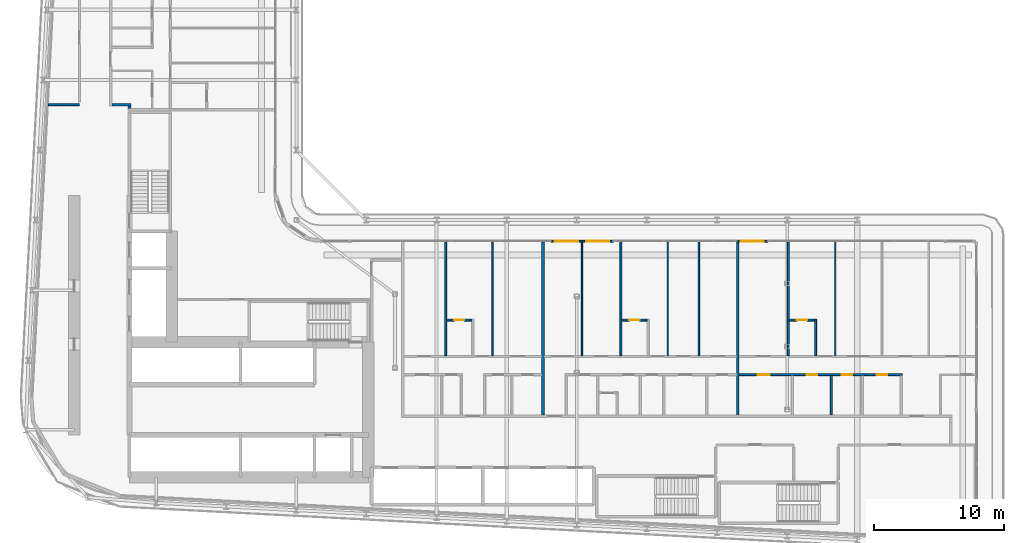
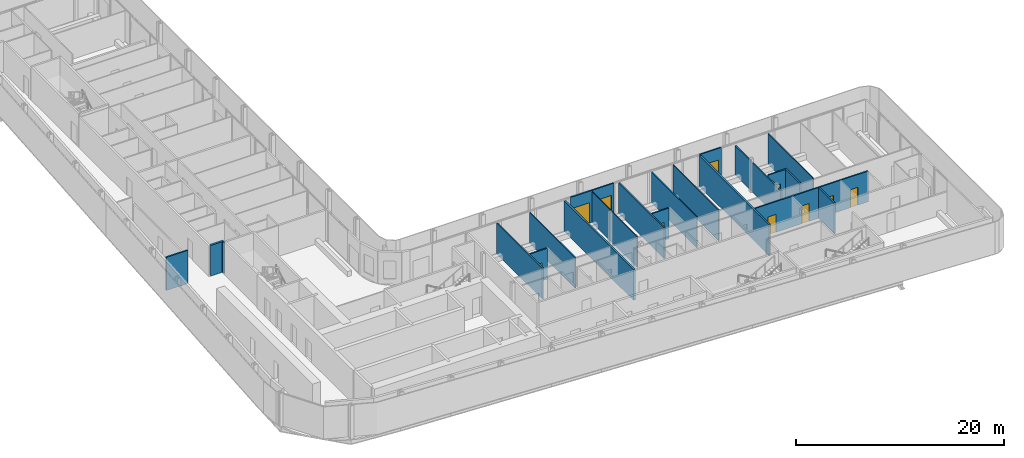
# One storey, part 17 of 29: 22 walls, 10 doors, 10 openings.
"""IFC4 building model written with IfcOpenShell, lengths in metres."""

from ifc_helpers import new_model, si_unit, direction, frame, frame_2d, origin, place, context, subcontext, project, spatial, rectangle, extrude, source, transform, mapped, material, layer, layer_set, type_object, element, fill, save


model = new_model("IFC4")

# Units and contexts
model_context = context("Model", 3, precision=1e-05, world=origin(), true_north=direction((0.0, 1.0)))
body_context = subcontext(model_context, "Body", "Model", "MODEL_VIEW")
ifc_project = project(units=[si_unit("LENGTHUNIT", "METRE"), si_unit("AREAUNIT", "SQUARE_METRE"), si_unit("VOLUMEUNIT", "CUBIC_METRE"), si_unit("PLANEANGLEUNIT", "RADIAN"), si_unit("MASSUNIT", "GRAM", prefix="KILO")], contexts=[model_context])

# Site, building, storey
site_placement = place(None, origin())
site = spatial("IfcSite", under=ifc_project, at=site_placement, CompositionType="ELEMENT")
building_placement = place(site_placement, origin())
building = spatial("IfcBuilding", under=site, at=building_placement, Name="Kheshtan School and Residences Tower", CompositionType="ELEMENT")
storey_placement = place(building_placement, frame((0.0, 0.0, 117.5)))
storey = spatial("IfcBuildingStorey", under=building, at=storey_placement, Name="L27", CompositionType="ELEMENT", Elevation=117.5)

# Walls
ifc_material_1 = material(Name="Gypsum board on steel studs with fire boards", Category="steel")
ifc_layer_1 = layer(ifc_material_1, 0.199951171875)
ifc_layer_set_1 = layer_set([ifc_layer_1], Name="Corridor wall 200")
wall_type_1 = type_object("IfcWallType", Name="Corridor wall 200", PredefinedType="PARTITIONING", material=ifc_layer_set_1)
wall_1_placement = place(storey_placement, frame((33.39990234375, 54.5, 0.0), z_axis=(0.0, 0.0, 1.0), x_axis=(1.0, 0.0, 0.0)))
element("IfcWall", 1, at=wall_1_placement, inside=storey, type_object=wall_type_1, Name="Partition L27-005", PredefinedType="PARTITIONING", context=body_context, shape_type="SweptSolid", body=[
    extrude(rectangle(XDim=1.4501953125, YDim=0.199951171875, at=frame_2d((0.72509765625, 0.0))), origin(), (0.0, 0.0, 1.0), 3.60009765625),
])
wall_2_placement = place(storey_placement, frame((34.75, 54.199951171875, 0.0), z_axis=(0.0, 0.0, 1.0), x_axis=(0.0, 1.0, 0.0)))
element("IfcWall", 2, at=wall_2_placement, inside=storey, type_object=wall_type_1, Name="Partition L27-020", PredefinedType="PARTITIONING", context=body_context, shape_type="SweptSolid", body=[
    extrude(rectangle(XDim=0.199951171875, YDim=0.199951171875, at=frame_2d((0.10009765625, 0.0))), origin(), (0.0, 0.0, 1.0), 3.60009765625),
])

# Wall, opening, door
ifc_material_2 = material(Name="Aluminium frame wall with insulated infill", Category="aluminium")
ifc_layer_2 = layer(ifc_material_2, 0.14990234375)
ifc_layer_set_2 = layer_set([ifc_layer_2], Name="Glazing frame wall 150")
wall_type_2 = type_object("IfcWallType", Name="Glazing frame wall 150", PredefinedType="SOLIDWALL", material=ifc_layer_set_2)
wall_3_placement = place(storey_placement, frame((67.218017578125, 43.97509765625, 0.0), z_axis=(0.0, 0.0, 1.0), x_axis=(1.0, 0.0, 0.0)))
wall_3 = element("IfcWall", 3, at=wall_3_placement, inside=storey, type_object=wall_type_2, Name="Balcony door wall L27 12.2", PredefinedType="SOLIDWALL", context=body_context, shape_type="SweptSolid", body=[
    extrude(rectangle(XDim=2.39990234375, YDim=0.14990234375, at=frame_2d((1.199951171875, 0.0))), origin(), (0.0, 0.0, 1.0), 3.75),
])
opening_1_placement = place(wall_3_placement, frame((0.300048828125, 0.0, 0.0)))
opening_1 = element("IfcOpeningElement", 4, at=opening_1_placement, cuts=wall_3, Name="Opening BD", PredefinedType="OPENING", context=body_context, shape_type="SweptSolid", body=[
    extrude(rectangle(XDim=1.800048828125, YDim=2.39990234375, at=frame_2d((0.89990234375, 1.199951171875))), frame((0.0, 0.0849609375, 0.0), z_axis=(0.0, -1.0, 0.0), x_axis=(1.0, 0.0, 0.0)), (0.0, 0.0, 1.0), 0.169921875),
])
ifc_material_3 = material(Name="Clear low-e glass in thermally broken aluminium frame", Category="aluminium")
door_type_1 = type_object("IfcDoorType", Name="Balcony sliding door", OperationType="SLIDING_TO_LEFT", PredefinedType="DOOR", material=ifc_material_3)
shared_shape_1 = source(origin(), body_context, "Body", "SweptSolid", [
    extrude(rectangle(XDim=1.800048828125, YDim=2.39990234375, at=frame_2d((0.89990234375, 1.199951171875))), frame((0.0, 0.02490234375, 0.0), z_axis=(0.0, -1.0, 0.0), x_axis=(1.0, 0.0, 0.0)), (0.0, 0.0, 1.0), 0.050048828125),
])
door_1_placement = place(opening_1_placement, origin())
door_1 = element("IfcDoor", 5, at=door_1_placement, inside=storey, type_object=door_type_1, Name="Balcony door L27 12.2", OperationType="SLIDING_TO_LEFT", OverallHeight=2.39990234375, OverallWidth=1.800048828125, PredefinedType="DOOR", context=body_context, shape_type="MappedRepresentation", body=[
    mapped(shared_shape_1, transform((0.0, 0.0, 0.0), x_axis=(1.0, 0.0, 0.0), y_axis=(0.0, 1.0, 0.0), z_axis=(0.0, 0.0, 1.0), scale=1.0)),
])
fill(opening_1, door_1)

wall_4_placement = place(storey_placement, frame((69.617919921875, 43.97509765625, 0.0), z_axis=(0.0, 0.0, 1.0), x_axis=(1.0, 0.0, 0.0)))
wall_4 = element("IfcWall", 6, at=wall_4_placement, inside=storey, type_object=wall_type_2, Name="Balcony door wall L27 12.3", PredefinedType="SOLIDWALL", context=body_context, shape_type="SweptSolid", body=[
    extrude(rectangle(XDim=2.400146484375, YDim=0.14990234375, at=frame_2d((1.2001953125, 0.0))), origin(), (0.0, 0.0, 1.0), 3.75),
])
opening_2_placement = place(wall_4_placement, frame((0.300048828125, 0.0, 0.0)))
opening_2 = element("IfcOpeningElement", 7, at=opening_2_placement, cuts=wall_4, Name="Opening BD", PredefinedType="OPENING", context=body_context, shape_type="SweptSolid", body=[
    extrude(rectangle(XDim=1.800048828125, YDim=2.39990234375, at=frame_2d((0.89990234375, 1.199951171875))), frame((0.0, 0.0849609375, 0.0), z_axis=(0.0, -1.0, 0.0), x_axis=(1.0, 0.0, 0.0)), (0.0, 0.0, 1.0), 0.169921875),
])
door_2_placement = place(opening_2_placement, origin())
door_2 = element("IfcDoor", 8, at=door_2_placement, inside=storey, type_object=door_type_1, Name="Balcony door L27 12.3", OperationType="SLIDING_TO_LEFT", OverallHeight=2.39990234375, OverallWidth=1.800048828125, PredefinedType="DOOR", context=body_context, shape_type="MappedRepresentation", body=[
    mapped(shared_shape_1, transform((0.0, 0.0, 0.0), x_axis=(1.0, 0.0, 0.0), y_axis=(0.0, 1.0, 0.0), z_axis=(0.0, 0.0, 1.0), scale=1.0)),
])
fill(opening_2, door_2)

wall_5_placement = place(storey_placement, frame((81.511962890625, 43.97509765625, 0.0), z_axis=(0.0, 0.0, 1.0), x_axis=(1.0, 0.0, 0.0)))
wall_5 = element("IfcWall", 9, at=wall_5_placement, inside=storey, type_object=wall_type_2, Name="Balcony door wall L27 12.4", PredefinedType="SOLIDWALL", context=body_context, shape_type="SweptSolid", body=[
    extrude(rectangle(XDim=2.400146484375, YDim=0.14990234375, at=frame_2d((1.2001953125, 0.0))), origin(), (0.0, 0.0, 1.0), 3.75),
])
opening_3_placement = place(wall_5_placement, frame((0.300048828125, 0.0, 0.0)))
opening_3 = element("IfcOpeningElement", 10, at=opening_3_placement, cuts=wall_5, Name="Opening BD", PredefinedType="OPENING", context=body_context, shape_type="SweptSolid", body=[
    extrude(rectangle(XDim=1.800048828125, YDim=2.39990234375, at=frame_2d((0.89990234375, 1.199951171875))), frame((0.0, 0.0849609375, 0.0), z_axis=(0.0, -1.0, 0.0), x_axis=(1.0, 0.0, 0.0)), (0.0, 0.0, 1.0), 0.169921875),
])
door_3_placement = place(opening_3_placement, origin())
door_3 = element("IfcDoor", 11, at=door_3_placement, inside=storey, type_object=door_type_1, Name="Balcony door L27 12.4", OperationType="SLIDING_TO_LEFT", OverallHeight=2.39990234375, OverallWidth=1.800048828125, PredefinedType="DOOR", context=body_context, shape_type="MappedRepresentation", body=[
    mapped(shared_shape_1, transform((0.0, 0.0, 0.0), x_axis=(1.0, 0.0, 0.0), y_axis=(0.0, 1.0, 0.0), z_axis=(0.0, 0.0, 1.0), scale=1.0)),
])
fill(opening_3, door_3)

# Walls
ifc_material_4 = material(Name="Gypsum board on steel studs", Category="steel")
ifc_layer_3 = layer(ifc_material_4, 0.10009765625)
ifc_layer_set_3 = layer_set([ifc_layer_3], Name="Gypsum partition 100")
wall_type_3 = type_object("IfcWallType", Name="Gypsum partition 100", PredefinedType="PARTITIONING", material=ifc_layer_set_3)
for number, where, z_axis, x_axis, name in (
    (12, (62.699951171875, 35.175048828125, 0.0), (0.0, 0.0, 1.0), (0.0, 1.0, 0.0), "Partition L27-061"),
    (13, (69.60009765625, 35.175048828125, 0.0), (0.0, 0.0, 1.0), (0.0, 1.0, 0.0), "Partition L27-067"),
    (14, (76.199951171875, 35.175048828125, 0.0), (0.0, 0.0, 1.0), (0.0, 1.0, 0.0), "Partition L27-076"),
    (15, (78.60009765625, 35.175048828125, 0.0), (0.0, 0.0, 1.0), (0.0, 1.0, 0.0), "Partition L27-077"),
    (16, (89.10009765625, 35.175048828125, 0.0), (0.0, 0.0, 1.0), (0.0, 1.0, 0.0), "Partition L27-087"),
):
    element("IfcWall", number, at=place(storey_placement, frame(where, z_axis=z_axis, x_axis=x_axis)), inside=storey, type_object=wall_type_3, Name=name, PredefinedType="PARTITIONING", context=body_context, shape_type="SweptSolid", body=[
        extrude(rectangle(XDim=8.724853515625, YDim=0.10009765625, at=frame_2d((4.3623046875, 0.0))), origin(), (0.0, 0.0, 1.0), 3.60009765625),
    ])
ifc_material_5 = material(Name="Fire-board shaft wall system")
ifc_layer_4 = layer(ifc_material_5, 0.14990234375)
ifc_layer_set_4 = layer_set([ifc_layer_4], Name="Service room wall 150")
wall_type_4 = type_object("IfcWallType", Name="Service room wall 150", PredefinedType="PARTITIONING", material=ifc_layer_set_4)
wall_6_placement = place(storey_placement, frame((28.508056640625, 54.5, 0.0), z_axis=(0.0, 0.0, 1.0), x_axis=(1.0, 0.0, 0.0)))
element("IfcWall", 17, at=wall_6_placement, inside=storey, type_object=wall_type_4, Name="Service room wall", PredefinedType="PARTITIONING", context=body_context, shape_type="SweptSolid", body=[
    extrude(rectangle(XDim=2.391845703125, YDim=0.14990234375, at=frame_2d((1.19580078125, 0.0))), origin(), (0.0, 0.0, 1.0), 3.89990234375),
])
ifc_material_6 = material(Name="Twin gypsum board on steel studs with mineral wool", Category="steel")
ifc_layer_5 = layer(ifc_material_6, 0.199951171875)
ifc_layer_set_5 = layer_set([ifc_layer_5], Name="Unit demising wall 200")
wall_type_5 = type_object("IfcWallType", Name="Unit demising wall 200", PredefinedType="PARTITIONING", material=ifc_layer_set_5)
for number, where, z_axis, x_axis, name in (
    (18, (66.60009765625, 30.60009765625, 0.0), (0.0, 0.0, 1.0), (0.0, 1.0, 0.0), "Partition L27-063"),
    (19, (81.60009765625, 30.60009765625, 0.0), (0.0, 0.0, 1.0), (0.0, 1.0, 0.0), "Partition L27-079"),
):
    element("IfcWall", number, at=place(storey_placement, frame(where, z_axis=z_axis, x_axis=x_axis)), inside=storey, type_object=wall_type_5, Name=name, PredefinedType="PARTITIONING", context=body_context, shape_type="SweptSolid", body=[
        extrude(rectangle(XDim=13.2998046875, YDim=0.199951171875, at=frame_2d((6.64990234375, 0.0))), origin(), (0.0, 0.0, 1.0), 3.60009765625),
    ])
ifc_material_7 = material(Name="Moisture-resistant gypsum board on steel studs", Category="steel")
ifc_layer_6 = layer(ifc_material_7, 0.14990234375)
ifc_layer_set_6 = layer_set([ifc_layer_6], Name="Wet-room partition 150")
wall_type_6 = type_object("IfcWallType", Name="Wet-room partition 150", PredefinedType="PARTITIONING", material=ifc_layer_set_6)
wall_7_placement = place(storey_placement, frame((59.10009765625, 35.175048828125, 0.0), z_axis=(0.0, 0.0, 1.0), x_axis=(0.0, 1.0, 0.0)))
element("IfcWall", 20, at=wall_7_placement, inside=storey, type_object=wall_type_6, Name="Partition L27-055", PredefinedType="PARTITIONING", context=body_context, shape_type="SweptSolid", body=[
    extrude(rectangle(XDim=8.724853515625, YDim=0.14990234375, at=frame_2d((4.3623046875, 0.0))), origin(), (0.0, 0.0, 1.0), 3.60009765625),
])

# Wall, opening, door
wall_8_placement = place(storey_placement, frame((59.175048828125, 37.89990234375, 0.0), z_axis=(0.0, 0.0, 1.0), x_axis=(1.0, 0.0, 0.0)))
wall_8 = element("IfcWall", 21, at=wall_8_placement, inside=storey, type_object=wall_type_6, Name="Partition L27-056", PredefinedType="PARTITIONING", context=body_context, shape_type="SweptSolid", body=[
    extrude(rectangle(XDim=1.949951171875, YDim=0.14990234375, at=frame_2d((0.97509765625, 0.0))), origin(), (0.0, 0.0, 1.0), 3.60009765625),
])
opening_4_placement = place(wall_8_placement, frame((0.574951171875, 0.0, 0.0)))
opening_4 = element("IfcOpeningElement", 22, at=opening_4_placement, cuts=wall_8, Name="Opening D27-004", PredefinedType="OPENING", context=body_context, shape_type="SweptSolid", body=[
    extrude(rectangle(XDim=0.800048828125, YDim=2.10009765625, at=frame_2d((0.39990234375, 1.050048828125))), frame((0.0, 0.0849609375, 0.0), z_axis=(0.0, -1.0, 0.0), x_axis=(1.0, 0.0, 0.0)), (0.0, 0.0, 1.0), 0.169921875),
])
ifc_material_8 = material(Name="Veneered timber door leaf", Category="wood")
door_type_2 = type_object("IfcDoorType", Name="Door 800 x 2100", OperationType="SINGLE_SWING_LEFT", PredefinedType="DOOR", material=ifc_material_8)
shared_shape_2 = source(origin(), body_context, "Body", "SweptSolid", [
    extrude(rectangle(XDim=0.800048828125, YDim=2.10009765625, at=frame_2d((0.39990234375, 1.050048828125))), frame((0.0, 0.02490234375, 0.0), z_axis=(0.0, -1.0, 0.0), x_axis=(1.0, 0.0, 0.0)), (0.0, 0.0, 1.0), 0.050048828125),
])
door_4_placement = place(opening_4_placement, origin())
door_4 = element("IfcDoor", 23, at=door_4_placement, inside=storey, type_object=door_type_2, Name="Door D27-004", OperationType="SINGLE_SWING_LEFT", OverallHeight=2.10009765625, OverallWidth=0.800048828125, PredefinedType="DOOR", context=body_context, shape_type="MappedRepresentation", body=[
    mapped(shared_shape_2, transform((0.0, 0.0, 0.0), x_axis=(1.0, 0.0, 0.0), y_axis=(0.0, 1.0, 0.0), z_axis=(0.0, 0.0, 1.0), scale=1.0)),
])
fill(opening_4, door_4)

# Wall
wall_9_placement = place(storey_placement, frame((72.60009765625, 35.175048828125, 0.0), z_axis=(0.0, 0.0, 1.0), x_axis=(0.0, 1.0, 0.0)))
element("IfcWall", 24, at=wall_9_placement, inside=storey, type_object=wall_type_6, Name="Partition L27-071", PredefinedType="PARTITIONING", context=body_context, shape_type="SweptSolid", body=[
    extrude(rectangle(XDim=8.724853515625, YDim=0.14990234375, at=frame_2d((4.3623046875, 0.0))), origin(), (0.0, 0.0, 1.0), 3.60009765625),
])

# Wall, opening, door
wall_10_placement = place(storey_placement, frame((72.675048828125, 37.89990234375, 0.0), z_axis=(0.0, 0.0, 1.0), x_axis=(1.0, 0.0, 0.0)))
wall_10 = element("IfcWall", 25, at=wall_10_placement, inside=storey, type_object=wall_type_6, Name="Partition L27-072", PredefinedType="PARTITIONING", context=body_context, shape_type="SweptSolid", body=[
    extrude(rectangle(XDim=1.949951171875, YDim=0.14990234375, at=frame_2d((0.97509765625, 0.0))), origin(), (0.0, 0.0, 1.0), 3.60009765625),
])
opening_5_placement = place(wall_10_placement, frame((0.574951171875, 0.0, 0.0)))
opening_5 = element("IfcOpeningElement", 26, at=opening_5_placement, cuts=wall_10, Name="Opening D27-014", PredefinedType="OPENING", context=body_context, shape_type="SweptSolid", body=[
    extrude(rectangle(XDim=0.800048828125, YDim=2.10009765625, at=frame_2d((0.39990234375, 1.050048828125))), frame((0.0, 0.0849609375, 0.0), z_axis=(0.0, -1.0, 0.0), x_axis=(1.0, 0.0, 0.0)), (0.0, 0.0, 1.0), 0.169921875),
])
door_5_placement = place(opening_5_placement, origin())
door_5 = element("IfcDoor", 27, at=door_5_placement, inside=storey, type_object=door_type_2, Name="Door D27-014", OperationType="SINGLE_SWING_LEFT", OverallHeight=2.10009765625, OverallWidth=0.800048828125, PredefinedType="DOOR", context=body_context, shape_type="MappedRepresentation", body=[
    mapped(shared_shape_2, transform((0.0, 0.0, 0.0), x_axis=(1.0, 0.0, 0.0), y_axis=(0.0, 1.0, 0.0), z_axis=(0.0, 0.0, 1.0), scale=1.0)),
])
fill(opening_5, door_5)

# Wall, openings, doors
wall_11_placement = place(storey_placement, frame((81.699951171875, 33.699951171875, 0.0), z_axis=(0.0, 0.0, 1.0), x_axis=(1.0, 0.0, 0.0)))
wall_11 = element("IfcWall", 28, at=wall_11_placement, inside=storey, type_object=wall_type_6, Name="Partition L27-080", PredefinedType="PARTITIONING", context=body_context, shape_type="SweptSolid", body=[
    extrude(rectangle(XDim=12.574951171875, YDim=0.14990234375, at=frame_2d((6.28759765625, 0.0))), origin(), (0.0, 0.0, 1.0), 3.60009765625),
])
opening_6_placement = place(wall_11_placement, frame((5.199951171875, 0.0, 0.0)))
opening_6 = element("IfcOpeningElement", 29, at=opening_6_placement, cuts=wall_11, Name="Opening D27-023", PredefinedType="OPENING", context=body_context, shape_type="SweptSolid", body=[
    extrude(rectangle(XDim=0.800048828125, YDim=2.10009765625, at=frame_2d((0.39990234375, 1.050048828125))), frame((0.0, 0.0849609375, 0.0), z_axis=(0.0, -1.0, 0.0), x_axis=(1.0, 0.0, 0.0)), (0.0, 0.0, 1.0), 0.169921875),
])
opening_7_placement = place(wall_11_placement, frame((10.60009765625, 0.0, 0.0)))
opening_7 = element("IfcOpeningElement", 30, at=opening_7_placement, cuts=wall_11, Name="Opening D27-024", PredefinedType="OPENING", context=body_context, shape_type="SweptSolid", body=[
    extrude(rectangle(XDim=0.800048828125, YDim=2.10009765625, at=frame_2d((0.39990234375, 1.050048828125))), frame((0.0, 0.0849609375, 0.0), z_axis=(0.0, -1.0, 0.0), x_axis=(1.0, 0.0, 0.0)), (0.0, 0.0, 1.0), 0.169921875),
])
opening_8_placement = place(wall_11_placement, frame((1.449951171875, 0.0, 0.0)))
opening_8 = element("IfcOpeningElement", 31, at=opening_8_placement, cuts=wall_11, Name="Opening D27-030", PredefinedType="OPENING", context=body_context, shape_type="SweptSolid", body=[
    extrude(rectangle(XDim=0.89990234375, YDim=2.10009765625, at=frame_2d((0.449951171875, 1.050048828125))), frame((0.0, 0.0849609375, 0.0), z_axis=(0.0, -1.0, 0.0), x_axis=(1.0, 0.0, 0.0)), (0.0, 0.0, 1.0), 0.169921875),
])
opening_9_placement = place(wall_11_placement, frame((7.89990234375, 0.0, 0.0)))
opening_9 = element("IfcOpeningElement", 32, at=opening_9_placement, cuts=wall_11, Name="Opening D27-034", PredefinedType="OPENING", context=body_context, shape_type="SweptSolid", body=[
    extrude(rectangle(XDim=0.800048828125, YDim=2.10009765625, at=frame_2d((0.39990234375, 1.050048828125))), frame((0.0, 0.0849609375, 0.0), z_axis=(0.0, -1.0, 0.0), x_axis=(1.0, 0.0, 0.0)), (0.0, 0.0, 1.0), 0.169921875),
])
door_6_placement = place(opening_6_placement, origin())
door_6 = element("IfcDoor", 33, at=door_6_placement, inside=storey, type_object=door_type_2, Name="Door D27-023", OperationType="SINGLE_SWING_LEFT", OverallHeight=2.10009765625, OverallWidth=0.800048828125, PredefinedType="DOOR", context=body_context, shape_type="MappedRepresentation", body=[
    mapped(shared_shape_2, transform((0.0, 0.0, 0.0), x_axis=(1.0, 0.0, 0.0), y_axis=(0.0, 1.0, 0.0), z_axis=(0.0, 0.0, 1.0), scale=1.0)),
])
fill(opening_6, door_6)
door_7_placement = place(opening_7_placement, origin())
door_7 = element("IfcDoor", 34, at=door_7_placement, inside=storey, type_object=door_type_2, Name="Door D27-024", OperationType="SINGLE_SWING_LEFT", OverallHeight=2.10009765625, OverallWidth=0.800048828125, PredefinedType="DOOR", context=body_context, shape_type="MappedRepresentation", body=[
    mapped(shared_shape_2, transform((0.0, 0.0, 0.0), x_axis=(1.0, 0.0, 0.0), y_axis=(0.0, 1.0, 0.0), z_axis=(0.0, 0.0, 1.0), scale=1.0)),
])
fill(opening_7, door_7)
door_8_placement = place(opening_9_placement, origin())
door_8 = element("IfcDoor", 35, at=door_8_placement, inside=storey, type_object=door_type_2, Name="Door D27-034", OperationType="SINGLE_SWING_RIGHT", OverallHeight=2.10009765625, OverallWidth=0.800048828125, PredefinedType="DOOR", context=body_context, shape_type="MappedRepresentation", body=[
    mapped(shared_shape_2, transform((0.0, 0.0, 0.0), x_axis=(1.0, 0.0, 0.0), y_axis=(0.0, 1.0, 0.0), z_axis=(0.0, 0.0, 1.0), scale=1.0)),
])
fill(opening_9, door_8)
door_type_3 = type_object("IfcDoorType", Name="Door 900 x 2100", OperationType="SINGLE_SWING_LEFT", PredefinedType="DOOR", material=ifc_material_8)
shared_shape_3 = source(origin(), body_context, "Body", "SweptSolid", [
    extrude(rectangle(XDim=0.89990234375, YDim=2.10009765625, at=frame_2d((0.449951171875, 1.050048828125))), frame((0.0, 0.02490234375, 0.0), z_axis=(0.0, -1.0, 0.0), x_axis=(1.0, 0.0, 0.0)), (0.0, 0.0, 1.0), 0.050048828125),
])
door_9_placement = place(opening_8_placement, origin())
door_9 = element("IfcDoor", 36, at=door_9_placement, inside=storey, type_object=door_type_3, Name="Door D27-030", OperationType="SINGLE_SWING_LEFT", OverallHeight=2.10009765625, OverallWidth=0.89990234375, PredefinedType="DOOR", context=body_context, shape_type="MappedRepresentation", body=[
    mapped(shared_shape_3, transform((0.0, 0.0, 0.0), x_axis=(1.0, 0.0, 0.0), y_axis=(0.0, 1.0, 0.0), z_axis=(0.0, 0.0, 1.0), scale=1.0)),
])
fill(opening_8, door_9)

# Wall
wall_12_placement = place(storey_placement, frame((85.5, 35.175048828125, 0.0), z_axis=(0.0, 0.0, 1.0), x_axis=(0.0, 1.0, 0.0)))
element("IfcWall", 37, at=wall_12_placement, inside=storey, type_object=wall_type_6, Name="Partition L27-082", PredefinedType="PARTITIONING", context=body_context, shape_type="SweptSolid", body=[
    extrude(rectangle(XDim=8.724853515625, YDim=0.14990234375, at=frame_2d((4.3623046875, 0.0))), origin(), (0.0, 0.0, 1.0), 3.447021484375),
])

# Wall, opening, door
wall_13_placement = place(storey_placement, frame((85.574951171875, 37.89990234375, 0.0), z_axis=(0.0, 0.0, 1.0), x_axis=(1.0, 0.0, 0.0)))
wall_13 = element("IfcWall", 38, at=wall_13_placement, inside=storey, type_object=wall_type_6, Name="Partition L27-083", PredefinedType="PARTITIONING", context=body_context, shape_type="SweptSolid", body=[
    extrude(rectangle(XDim=1.949951171875, YDim=0.14990234375, at=frame_2d((0.97509765625, 0.0))), origin(), (0.0, 0.0, 1.0), 3.60009765625),
])
opening_10_placement = place(wall_13_placement, frame((0.574951171875, 0.0, 0.0)))
opening_10 = element("IfcOpeningElement", 39, at=opening_10_placement, cuts=wall_13, Name="Opening D27-028", PredefinedType="OPENING", context=body_context, shape_type="SweptSolid", body=[
    extrude(rectangle(XDim=0.800048828125, YDim=2.10009765625, at=frame_2d((0.39990234375, 1.050048828125))), frame((0.0, 0.0849609375, 0.0), z_axis=(0.0, -1.0, 0.0), x_axis=(1.0, 0.0, 0.0)), (0.0, 0.0, 1.0), 0.169921875),
])
door_10_placement = place(opening_10_placement, origin())
door_10 = element("IfcDoor", 40, at=door_10_placement, inside=storey, type_object=door_type_2, Name="Door D27-028", OperationType="SINGLE_SWING_LEFT", OverallHeight=2.10009765625, OverallWidth=0.800048828125, PredefinedType="DOOR", context=body_context, shape_type="MappedRepresentation", body=[
    mapped(shared_shape_2, transform((0.0, 0.0, 0.0), x_axis=(1.0, 0.0, 0.0), y_axis=(0.0, 1.0, 0.0), z_axis=(0.0, 0.0, 1.0), scale=1.0)),
])
fill(opening_10, door_10)

# Walls
wall_14_placement = place(storey_placement, frame((87.60009765625, 35.175048828125, 0.0), z_axis=(0.0, 0.0, 1.0), x_axis=(0.0, 1.0, 0.0)))
element("IfcWall", 41, at=wall_14_placement, inside=storey, type_object=wall_type_6, Name="Partition L27-085", PredefinedType="PARTITIONING", context=body_context, shape_type="SweptSolid", body=[
    extrude(rectangle(XDim=2.800048828125, YDim=0.14990234375, at=frame_2d((1.39990234375, 0.0))), origin(), (0.0, 0.0, 1.0), 3.60009765625),
])
wall_15_placement = place(storey_placement, frame((88.800048828125, 30.60009765625, 0.0), z_axis=(0.0, 0.0, 1.0), x_axis=(0.0, 1.0, 0.0)))
element("IfcWall", 42, at=wall_15_placement, inside=storey, type_object=wall_type_6, Name="Partition L27-086", PredefinedType="PARTITIONING", context=body_context, shape_type="SweptSolid", body=[
    extrude(rectangle(XDim=3.02490234375, YDim=0.14990234375, at=frame_2d((1.512451171875, 0.0))), origin(), (0.0, 0.0, 1.0), 3.60009765625),
])

save(model, "model.ifc")
